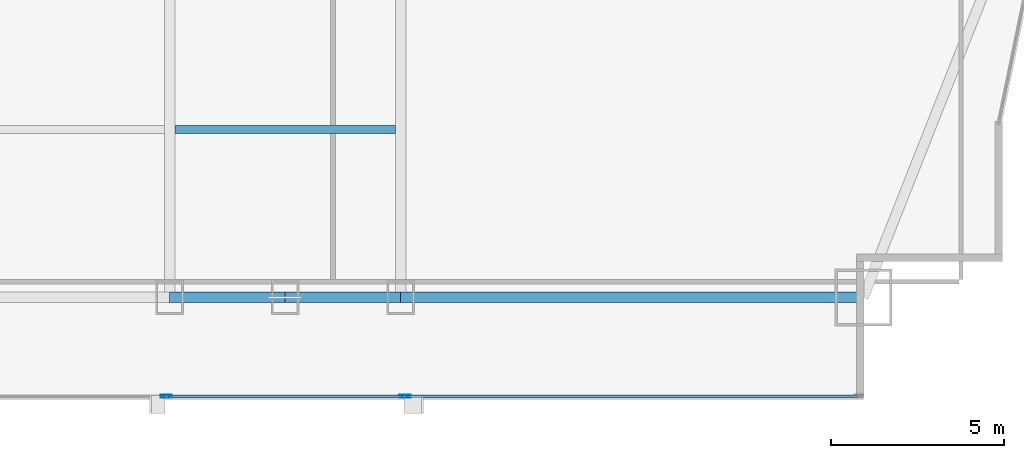
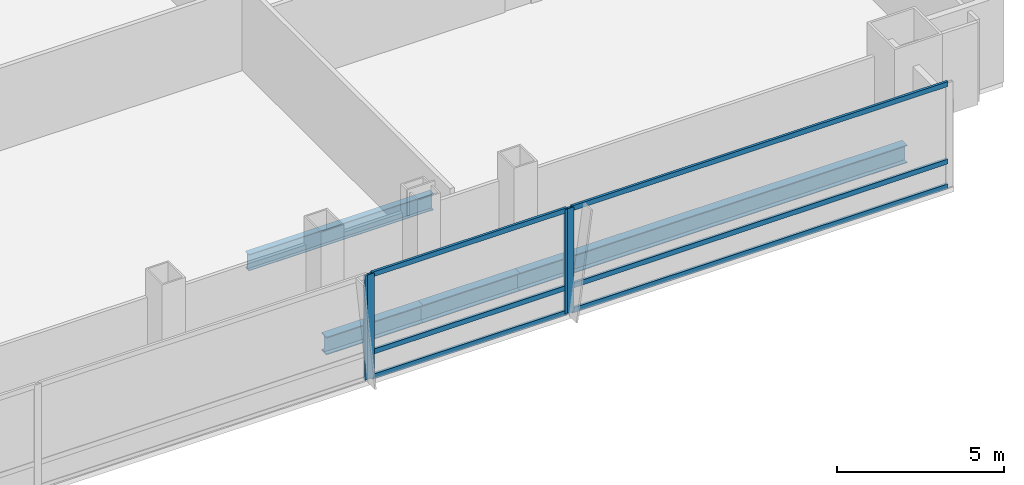
# One storey, part 14 of 36: 10 members, 4 beams, 3 elements without a shape of their own.
"""IFC4 building model written with IfcOpenShell, lengths in metres."""

import ifcopenshell
import ifcopenshell.guid

model = None  # the IFC model being written
_history = None  # IfcOwnerHistory: only IFC2X3 demands one
_inside = {}  # id of a spatial element -> (the spatial element, [elements in it])
_under = {}  # id of a project, library or spatial element -> (it, [spatial elements below it])
_declared = {}  # id of a project -> (the project, [libraries it declares])
_typed = {}  # id of a type object -> (the type object, [elements of that type])
_made_of = {}  # id of a material, layer set ... -> (it, [elements and type objects made of it])


def new_model(schema):
    """Start an empty IFC model of exactly this schema.

    Asked for "IFC4X3", IfcOpenShell would pick the latest addendum, in which some entities
    have other attributes; the version numbers below select the first issue.
    IFC2X3 requires an IfcOwnerHistory on every rooted entity: one is made here for all.
    """
    global model, _history
    if schema == "IFC4X3":
        model = ifcopenshell.file(schema_version=(4, 3, 0, 0))
    else:
        model = ifcopenshell.file(schema=schema)
    _inside.clear()
    _under.clear()
    _declared.clear()
    _typed.clear()
    _made_of.clear()
    _history = None
    if model.schema == "IFC2X3":
        org = make("IfcOrganization", Name="unknown")
        user = make(
            "IfcPersonAndOrganization",
            ThePerson=make("IfcPerson", FamilyName="unknown"),
            TheOrganization=org,
        )
        app = make(
            "IfcApplication",
            ApplicationDeveloper=org,
            Version="unknown",
            ApplicationFullName="unknown",
            ApplicationIdentifier="unknown",
        )
        _history = make(
            "IfcOwnerHistory",
            OwningUser=user,
            OwningApplication=app,
            ChangeAction="ADDED",
            CreationDate=0,
        )
    return model


def make(cls, **values):
    """One entity of the class cls with the attributes given. An attribute that is None is left unset."""
    return model.create_entity(
        cls, **{name: value for name, value in values.items() if value is not None}
    )


def rooted(cls, **values):
    """An entity with a GlobalId (a new one), such as an element, a storey or a relation."""
    return make(cls, GlobalId=ifcopenshell.guid.new(), OwnerHistory=_history, **values)


def si_unit(unit_type, name, prefix=None):
    """IfcSIUnit, for example si_unit("LENGTHUNIT", "METRE", prefix="MILLI")."""
    return make("IfcSIUnit", UnitType=unit_type, Prefix=prefix, Name=name)


def assignment(units):
    """IfcUnitAssignment: the units of a project."""
    return None if units is None else make("IfcUnitAssignment", Units=units)


def point(xyz):
    """IfcCartesianPoint."""
    return None if xyz is None else make("IfcCartesianPoint", Coordinates=xyz)


def direction(xyz):
    """IfcDirection."""
    return None if xyz is None else make("IfcDirection", DirectionRatios=xyz)


def frame(location, z_axis=None, x_axis=None):
    """IfcAxis2Placement3D, a coordinate frame: its origin and axes. An axis left out is left unset."""
    return make(
        "IfcAxis2Placement3D",
        Location=point(location),
        Axis=direction(z_axis),
        RefDirection=direction(x_axis),
    )


def frame_2d(location, x_axis=None):
    """IfcAxis2Placement2D, a coordinate frame in the plane: its origin and x axis."""
    return make(
        "IfcAxis2Placement2D", Location=point(location), RefDirection=direction(x_axis)
    )


def origin():
    """The frame at (0, 0, 0) with its axes left unset."""
    return frame((0.0, 0.0, 0.0))


def origin_2d():
    """The frame at (0, 0) in the plane with its x axis left unset."""
    return frame_2d((0.0, 0.0))


def place(relative_to, where):
    """IfcLocalPlacement: puts the frame where relative to a parent placement (None: the world)."""
    return make(
        "IfcLocalPlacement", PlacementRelTo=relative_to, RelativePlacement=where
    )


def context(
    kind, dimensions, precision=None, world=None, true_north=None, identifier=None
):
    """IfcGeometricRepresentationContext, for example the 3D "Model" context."""
    return make(
        "IfcGeometricRepresentationContext",
        ContextIdentifier=identifier,
        ContextType=kind,
        CoordinateSpaceDimension=dimensions,
        Precision=precision,
        WorldCoordinateSystem=world,
        TrueNorth=true_north,
    )


def subcontext(parent, identifier, kind, view, scale=None):
    """IfcGeometricRepresentationSubContext, for example "Body" below "Model"."""
    return make(
        "IfcGeometricRepresentationSubContext",
        ContextIdentifier=identifier,
        ContextType=kind,
        ParentContext=parent,
        TargetScale=scale,
        TargetView=view,
    )


def project(units=None, contexts=None):
    """IfcProject with its units and contexts."""
    return rooted(
        "IfcProject",
        Name="project",
        RepresentationContexts=contexts,
        UnitsInContext=assignment(units),
    )


def spatial(cls, under=None, at=None, **own):
    """A site, building, storey or space (cls), placed at a placement, below another one or the project."""
    s = rooted(cls, ObjectPlacement=at, **own)
    if under is not None:
        _under.setdefault(under.id(), (under, []))[1].append(s)
    return s


def profile(cls, at=None, kind="AREA", **sizes):
    """A parametric profile (cls). Its sizes go by their IFC names, for example OverallWidth=200.0."""
    return make(cls, ProfileType=kind, Position=at, **sizes)


def hollow_rectangle(**sizes):
    """IfcRectangleHollowProfileDef."""
    return profile("IfcRectangleHollowProfileDef", **sizes)


def i_section(**sizes):
    """IfcIShapeProfileDef."""
    return profile("IfcIShapeProfileDef", **sizes)


def extrude(swept, where, along, depth):
    """IfcExtrudedAreaSolid: the profile swept, set in the frame where, extruded along a direction by depth."""
    return make(
        "IfcExtrudedAreaSolid",
        SweptArea=swept,
        Position=where,
        ExtrudedDirection=direction(along),
        Depth=depth,
    )


def shape(context_of_items, identifier, shape_type, items):
    """IfcShapeRepresentation: the items that make up one representation, for example the "Body"."""
    return make(
        "IfcShapeRepresentation",
        ContextOfItems=context_of_items,
        RepresentationIdentifier=identifier,
        RepresentationType=shape_type,
        Items=items,
    )


def material(Name=None, Category=None):
    """IfcMaterial."""
    return make("IfcMaterial", Name=Name, Category=Category)


def material_profile(
    of_material, cross_section, Name=None, Category=None, Priority=None
):
    """IfcMaterialProfile: a cross section and its material."""
    return make(
        "IfcMaterialProfile",
        Name=Name,
        Material=of_material,
        Profile=cross_section,
        Priority=Priority,
        Category=Category,
    )


def profile_set(profiles, Name=None, composite=None):
    """IfcMaterialProfileSet."""
    return make(
        "IfcMaterialProfileSet",
        Name=Name,
        MaterialProfiles=profiles,
        CompositeProfile=composite,
    )


def made_of(thing, what):
    """Note that an element or type object is made of a material, layer set ...; save() writes the relation."""
    if what is not None:
        _made_of.setdefault(what.id(), (what, []))[1].append(thing)
    return thing


def type_object(cls, material=None, **own):
    """A type object (cls), such as IfcWallType, which elements share."""
    return made_of(rooted(cls, **own), material)


def element(
    cls,
    number,
    at=None,
    inside=None,
    cuts=None,
    type_object=None,
    material=None,
    context=None,
    identifier="Body",
    shape_type=None,
    held_by="IfcProductDefinitionShape",
    body=None,
    shapes=None,
    **own,
):
    """One element of the class cls, such as IfcWall. Its Tag is "e" and its number.

    at: its placement. inside: the storey or other place that contains it. cuts: it is an
    opening in that element (IfcRelVoidsElement). A single representation is given by context,
    identifier, shape_type and body (its items); several are given by shapes. held_by: the class
    of the entity that holds the representations. save() writes the other relations.
    """
    e = rooted(cls, Tag="e%d" % number, ObjectPlacement=at, **own)
    if body is not None:
        shapes = [shape(context, identifier, shape_type, body)]
    if shapes is not None:
        e.Representation = make(held_by, Representations=shapes)
    if inside is not None:
        _inside.setdefault(inside.id(), (inside, []))[1].append(e)
    if cuts is not None:
        rooted(
            "IfcRelVoidsElement", RelatingBuildingElement=cuts, RelatedOpeningElement=e
        )
    if type_object is not None:
        _typed.setdefault(type_object.id(), (type_object, []))[1].append(e)
    return made_of(e, material)


def aggregate(whole, parts):
    """IfcRelAggregates: a whole, such as a stair, and the parts it consists of."""
    return rooted("IfcRelAggregates", RelatingObject=whole, RelatedObjects=parts)


def save(model, path):
    """Write the relations noted so far, then the file.

    IfcRelAggregates (storeys below a building ...), IfcRelContainedInSpatialStructure (elements
    in a storey), IfcRelDefinesByType, IfcRelAssociatesMaterial and IfcRelDeclares: one each for
    every whole, place, type object, material and project.
    """
    for whole, parts in _under.values():
        aggregate(whole, parts)
    for where, things in _inside.values():
        rooted(
            "IfcRelContainedInSpatialStructure",
            RelatedElements=things,
            RelatingStructure=where,
        )
    for kind, things in _typed.values():
        rooted("IfcRelDefinesByType", RelatedObjects=things, RelatingType=kind)
    for what, things in _made_of.values():
        rooted("IfcRelAssociatesMaterial", RelatedObjects=things, RelatingMaterial=what)
    for by, libraries in _declared.values():
        rooted("IfcRelDeclares", RelatingContext=by, RelatedDefinitions=libraries)
    model.write(path)


model = new_model("IFC4")

# Units and contexts
model_context = context("Model", 3, precision=1e-05, world=origin(), true_north=direction((0.0, 1.0)))
body_context = subcontext(model_context, "Body", "Model", "MODEL_VIEW")
ifc_project = project(units=[si_unit("LENGTHUNIT", "METRE"), si_unit("AREAUNIT", "SQUARE_METRE"), si_unit("VOLUMEUNIT", "CUBIC_METRE"), si_unit("PLANEANGLEUNIT", "RADIAN"), si_unit("MASSUNIT", "GRAM", prefix="KILO")], contexts=[model_context])

# Site, building, storey
site_placement = place(None, origin())
site = spatial("IfcSite", under=ifc_project, at=site_placement, CompositionType="ELEMENT")
building_placement = place(site_placement, origin())
building = spatial("IfcBuilding", under=site, at=building_placement, Name="Khoronbel Lancet Exchange", CompositionType="ELEMENT")
storey_placement = place(building_placement, frame((0.0, 0.0, 57.800048828125)))
storey = spatial("IfcBuildingStorey", under=building, at=storey_placement, Name="L13", CompositionType="ELEMENT", Elevation=57.800048828125)

# Beams
ifc_material_1 = material(Name="Steel S355", Category="steel")
ifc_material_profile_1 = material_profile(ifc_material_1, i_section(OverallWidth=0.219970703125, OverallDepth=0.60009765625, WebThickness=0.011962890625, FlangeThickness=0.01904296875, at=origin_2d()), Name="IPE 600")
ifc_profile_set_1 = profile_set([ifc_material_profile_1], Name="Steel S355")
beam_type_1 = type_object("IfcBeamType", Name="BM-BJ1", PredefinedType="JOIST", material=ifc_profile_set_1)
beam_1_placement = place(storey_placement, frame((48.14990234375, 15.0, -0.47998046875), z_axis=(1.0, 0.0, 0.0), x_axis=(0.0, 1.0, 0.0)))
element("IfcBeam", 1, at=beam_1_placement, inside=storey, type_object=beam_type_1, Name="Level L13 secondary composite joist J05", PredefinedType="JOIST", context=body_context, shape_type="SweptSolid", body=[
    extrude(i_section(OverallWidth=0.219970703125, OverallDepth=0.60009765625, WebThickness=0.011962890625, FlangeThickness=0.01904296875, at=origin_2d()), origin(), (0.0, 0.0, 1.0), 6.375),
])
ifc_material_profile_2 = material_profile(ifc_material_1, i_section(OverallWidth=0.300048828125, OverallDepth=0.64990234375, WebThickness=0.01611328125, FlangeThickness=0.031005859375, at=origin_2d()), Name="HEB 650")
ifc_profile_set_2 = profile_set([ifc_material_profile_2], Name="Steel S355")
beam_type_2 = type_object("IfcBeamType", Name="BM-BSP1", PredefinedType="SPANDREL", material=ifc_profile_set_2)
beam_2_placement = place(storey_placement, frame((48.0, 10.14990234375, -0.505126953125), z_axis=(1.0, 0.0, 0.0), x_axis=(0.0, 1.0, 0.0)))
element("IfcBeam", 2, at=beam_2_placement, inside=storey, type_object=beam_type_2, Name="Level L13 perimeter spandrel beam SP07", PredefinedType="SPANDREL", context=body_context, shape_type="SweptSolid", body=[
    extrude(i_section(OverallWidth=0.300048828125, OverallDepth=0.64990234375, WebThickness=0.01611328125, FlangeThickness=0.031005859375, at=origin_2d()), origin(), (0.0, 0.0, 1.0), 3.33740234375),
])
beam_3_placement = place(storey_placement, frame((51.33740234375, 10.14990234375, -0.505126953125), z_axis=(1.0, 0.0, 0.0), x_axis=(0.0, 1.0, 0.0)))
element("IfcBeam", 3, at=beam_3_placement, inside=storey, type_object=beam_type_2, Name="Level L13 perimeter spandrel beam SP08", PredefinedType="SPANDREL", context=body_context, shape_type="SweptSolid", body=[
    extrude(i_section(OverallWidth=0.300048828125, OverallDepth=0.64990234375, WebThickness=0.01611328125, FlangeThickness=0.031005859375, at=origin_2d()), origin(), (0.0, 0.0, 1.0), 3.337646484375),
])
beam_4_placement = place(storey_placement, frame((54.675048828125, 10.14990234375, -0.505126953125), z_axis=(1.0, 0.0, 0.0), x_axis=(0.0, 1.0, 0.0)))
element("IfcBeam", 4, at=beam_4_placement, inside=storey, type_object=beam_type_2, Name="Level L13 perimeter spandrel beam SP09", PredefinedType="SPANDREL", context=body_context, shape_type="SweptSolid", body=[
    extrude(i_section(OverallWidth=0.300048828125, OverallDepth=0.64990234375, WebThickness=0.01611328125, FlangeThickness=0.031005859375, at=origin_2d()), origin(), (0.0, 0.0, 1.0), 13.375),
])

# Curtain wall, member
ifc_material_2 = material(Name="Low-E Solar Control Insulating Glass", Category="glass")
curtain_wall_type = type_object("IfcCurtainWallType", Name="CW-1", PredefinedType="NOTDEFINED", material=ifc_material_2)
curtain_wall_1_placement = place(storey_placement, origin())
curtain_wall_1 = element("IfcCurtainWall", 5, at=curtain_wall_1_placement, inside=storey, type_object=curtain_wall_type, Name="Unitised curtain wall CW-L13-SCV", PredefinedType="NOTDEFINED")
ifc_material_3 = material(Name="Bronze-Anodised Aluminium 6063-T6", Category="aluminium")
ifc_material_profile_3 = material_profile(ifc_material_3, hollow_rectangle(XDim=0.0849609375, YDim=0.239990234375, WallThickness=0.006103515625, at=origin_2d()), Name="ALU MULLION 85x240")
ifc_profile_set_3 = profile_set([ifc_material_profile_3], Name="Bronze-Anodised Aluminium 6063-T6")
member_type_1 = type_object("IfcMemberType", Name="MEM-CWM1", PredefinedType="MULLION", material=ifc_profile_set_3)
member_1_placement = place(storey_placement, frame((47.857421875, 7.2900390625, 0.0), z_axis=(0.0, 0.0, 1.0), x_axis=(0.0, 1.0, 0.0)))
member_1 = element("IfcMember", 6, at=member_1_placement, type_object=member_type_1, Name="CW1 mullion 3", PredefinedType="MULLION", context=body_context, shape_type="SweptSolid", body=[
    extrude(hollow_rectangle(XDim=0.0849609375, YDim=0.239990234375, WallThickness=0.006103515625, at=origin_2d()), origin(), (0.0, 0.0, 1.0), 3.820068359375),
])
aggregate(curtain_wall_1, [member_1])

# Curtain wall, members
curtain_wall_2_placement = place(storey_placement, origin())
curtain_wall_2 = element("IfcCurtainWall", 7, at=curtain_wall_2_placement, inside=storey, type_object=curtain_wall_type, Name="Unitised curtain wall CW-L13-SEB", PredefinedType="NOTDEFINED")
member_2_placement = place(storey_placement, frame((47.9423828125, 7.2900390625, 0.0), z_axis=(0.0, 0.0, 1.0), x_axis=(0.0, 1.0, 0.0)))
member_2 = element("IfcMember", 8, at=member_2_placement, type_object=member_type_1, Name="CW1 mullion 1", PredefinedType="MULLION", context=body_context, shape_type="SweptSolid", body=[
    extrude(hollow_rectangle(XDim=0.0849609375, YDim=0.239990234375, WallThickness=0.006103515625, at=origin_2d()), origin(), (0.0, 0.0, 1.0), 3.820068359375),
])
member_3_placement = place(storey_placement, frame((54.757568359375, 7.2900390625, 0.0), z_axis=(0.0, 0.0, 1.0), x_axis=(0.0, 1.0, 0.0)))
member_3 = element("IfcMember", 9, at=member_3_placement, type_object=member_type_1, Name="CW1 mullion 2", PredefinedType="MULLION", context=body_context, shape_type="SweptSolid", body=[
    extrude(hollow_rectangle(XDim=0.0849609375, YDim=0.239990234375, WallThickness=0.006103515625, at=origin_2d()), origin(), (0.0, 0.0, 1.0), 3.820068359375),
])

# Curtain wall, member
curtain_wall_3_placement = place(storey_placement, origin())
curtain_wall_3 = element("IfcCurtainWall", 10, at=curtain_wall_3_placement, inside=storey, type_object=curtain_wall_type, Name="Unitised curtain wall CW-L13-SEV", PredefinedType="NOTDEFINED")
member_4_placement = place(storey_placement, frame((54.842529296875, 7.2900390625, 0.0), z_axis=(0.0, 0.0, 1.0), x_axis=(0.0, 1.0, 0.0)))
member_4 = element("IfcMember", 11, at=member_4_placement, type_object=member_type_1, Name="CW1 mullion 1", PredefinedType="MULLION", context=body_context, shape_type="SweptSolid", body=[
    extrude(hollow_rectangle(XDim=0.0849609375, YDim=0.239990234375, WallThickness=0.006103515625, at=origin_2d()), origin(), (0.0, 0.0, 1.0), 3.820068359375),
])

# Member
ifc_material_profile_4 = material_profile(ifc_material_3, hollow_rectangle(XDim=0.0849609375, YDim=0.179931640625, WallThickness=0.0048828125, at=origin_2d()), Name="ALU TRANSOM 85x180")
ifc_profile_set_4 = profile_set([ifc_material_profile_4], Name="Bronze-Anodised Aluminium 6063-T6")
member_type_2 = type_object("IfcMemberType", Name="MEM-CWT1", PredefinedType="USERDEFINED", material=ifc_profile_set_4)
member_5_placement = place(storey_placement, frame((47.985107421875, 7.2900390625, 0.04248046875), z_axis=(1.0, 0.0, 0.0), x_axis=(0.0, 1.0, 0.0)))
member_5 = element("IfcMember", 12, at=member_5_placement, type_object=member_type_2, Name="CW1 transom 1.1", ObjectType="TRANSOM", PredefinedType="USERDEFINED", context=body_context, shape_type="SweptSolid", body=[
    extrude(hollow_rectangle(XDim=0.0849609375, YDim=0.179931640625, WallThickness=0.0048828125, at=origin_2d()), origin(), (0.0, 0.0, 1.0), 6.72998046875),
])

member_6_placement = place(storey_placement, frame((47.985107421875, 7.2900390625, 0.949951171875), z_axis=(1.0, 0.0, 0.0), x_axis=(0.0, 1.0, 0.0)))
member_6 = element("IfcMember", 13, at=member_6_placement, type_object=member_type_2, Name="CW1 transom 1.2", ObjectType="TRANSOM", PredefinedType="USERDEFINED", context=body_context, shape_type="SweptSolid", body=[
    extrude(hollow_rectangle(XDim=0.0849609375, YDim=0.179931640625, WallThickness=0.0048828125, at=origin_2d()), origin(), (0.0, 0.0, 1.0), 6.72998046875),
])

member_7_placement = place(storey_placement, frame((47.985107421875, 7.2900390625, 3.77734375), z_axis=(1.0, 0.0, 0.0), x_axis=(0.0, 1.0, 0.0)))
member_7 = element("IfcMember", 14, at=member_7_placement, type_object=member_type_2, Name="CW1 transom 1.3", ObjectType="TRANSOM", PredefinedType="USERDEFINED", context=body_context, shape_type="SweptSolid", body=[
    extrude(hollow_rectangle(XDim=0.0849609375, YDim=0.179931640625, WallThickness=0.0048828125, at=origin_2d()), origin(), (0.0, 0.0, 1.0), 6.72998046875),
])

aggregate(curtain_wall_2, [member_2, member_3, member_5, member_6, member_7])

member_8_placement = place(storey_placement, frame((54.885009765625, 7.2900390625, 0.04248046875), z_axis=(1.0, 0.0, 0.0), x_axis=(0.0, 1.0, 0.0)))
member_8 = element("IfcMember", 15, at=member_8_placement, type_object=member_type_2, Name="CW1 transom 1.1", ObjectType="TRANSOM", PredefinedType="USERDEFINED", context=body_context, shape_type="SweptSolid", body=[
    extrude(hollow_rectangle(XDim=0.0849609375, YDim=0.179931640625, WallThickness=0.0048828125, at=origin_2d()), origin(), (0.0, 0.0, 1.0), 12.989990234375),
])

member_9_placement = place(storey_placement, frame((54.885009765625, 7.2900390625, 0.949951171875), z_axis=(1.0, 0.0, 0.0), x_axis=(0.0, 1.0, 0.0)))
member_9 = element("IfcMember", 16, at=member_9_placement, type_object=member_type_2, Name="CW1 transom 1.2", ObjectType="TRANSOM", PredefinedType="USERDEFINED", context=body_context, shape_type="SweptSolid", body=[
    extrude(hollow_rectangle(XDim=0.0849609375, YDim=0.179931640625, WallThickness=0.0048828125, at=origin_2d()), origin(), (0.0, 0.0, 1.0), 12.989990234375),
])

member_10_placement = place(storey_placement, frame((54.885009765625, 7.2900390625, 3.77734375), z_axis=(1.0, 0.0, 0.0), x_axis=(0.0, 1.0, 0.0)))
member_10 = element("IfcMember", 17, at=member_10_placement, type_object=member_type_2, Name="CW1 transom 1.3", ObjectType="TRANSOM", PredefinedType="USERDEFINED", context=body_context, shape_type="SweptSolid", body=[
    extrude(hollow_rectangle(XDim=0.0849609375, YDim=0.179931640625, WallThickness=0.0048828125, at=origin_2d()), origin(), (0.0, 0.0, 1.0), 12.989990234375),
])

aggregate(curtain_wall_3, [member_4, member_8, member_9, member_10])

save(model, "model.ifc")
